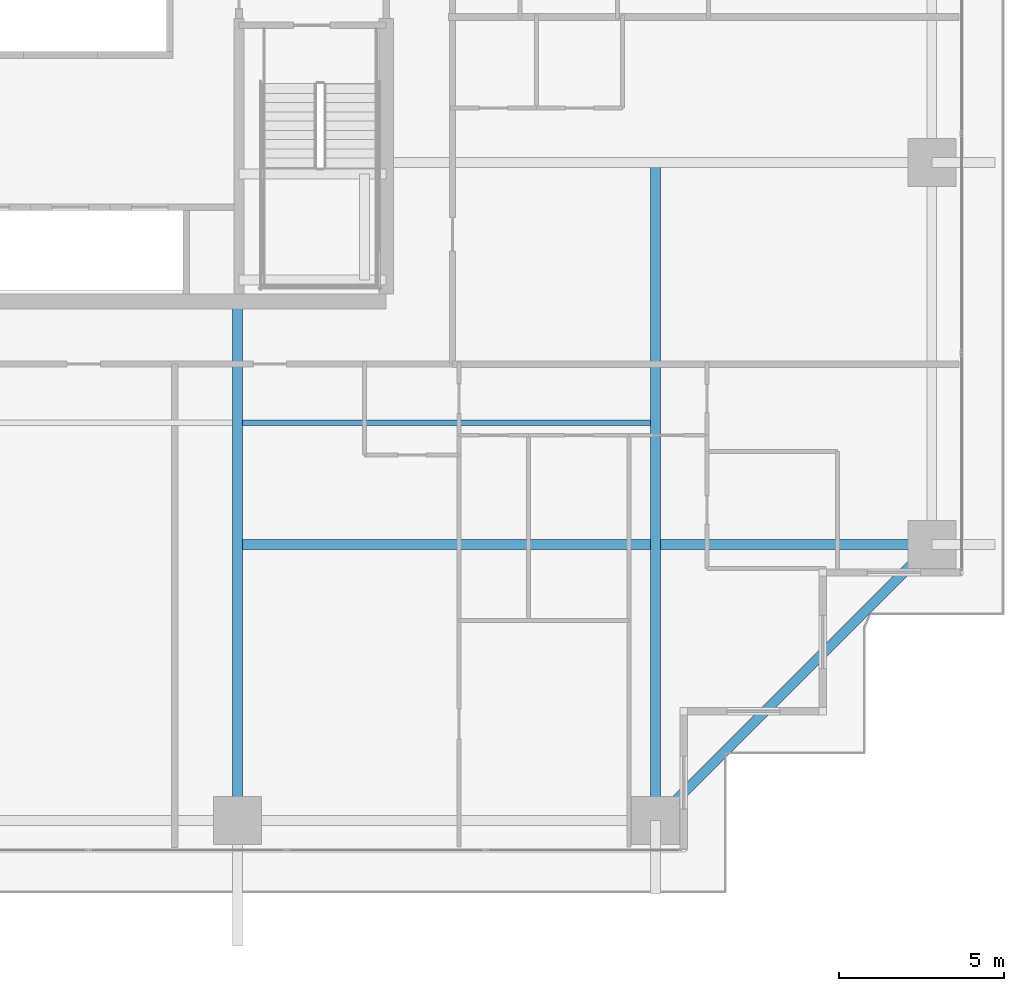
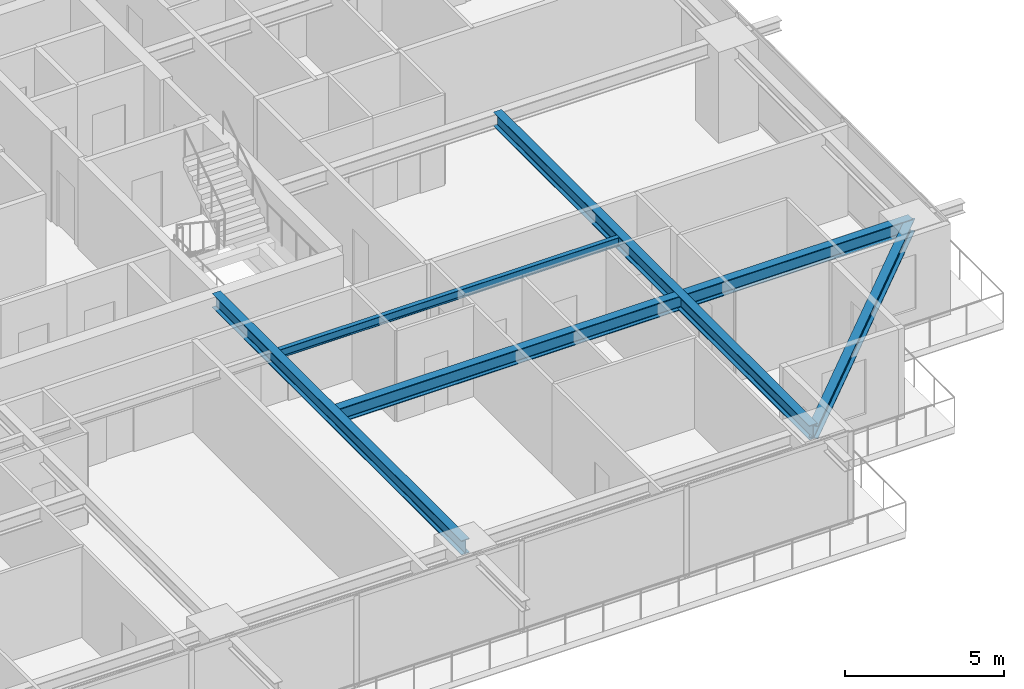
# One storey, part 11 of 34: 5 beams.
"""IFC4 building model written with IfcOpenShell, lengths in metres."""

from ifc_helpers import new_model, si_unit, direction, frame, origin, origin_2d, place, context, subcontext, project, spatial, i_section, extrude, source, transform, mapped, material, material_profile, profile_set, type_object, element, save


model = new_model("IFC4")

# Units and contexts
model_context = context("Model", 3, precision=1e-05, world=origin(), true_north=direction((0.0, 1.0)))
body_context = subcontext(model_context, "Body", "Model", "MODEL_VIEW")
ifc_project = project(units=[si_unit("LENGTHUNIT", "METRE"), si_unit("AREAUNIT", "SQUARE_METRE"), si_unit("VOLUMEUNIT", "CUBIC_METRE"), si_unit("PLANEANGLEUNIT", "RADIAN"), si_unit("MASSUNIT", "GRAM", prefix="KILO")], contexts=[model_context])

# Site, building, storey
site_placement = place(None, origin())
site = spatial("IfcSite", under=ifc_project, at=site_placement, CompositionType="ELEMENT")
building_placement = place(site_placement, origin())
building = spatial("IfcBuilding", under=site, at=building_placement, Name="Serunith Strait Residences", CompositionType="ELEMENT")
storey_placement = place(building_placement, frame((0.0, 0.0, 101.699951171875)))
storey = spatial("IfcBuildingStorey", under=building, at=storey_placement, Name="L25", CompositionType="ELEMENT", Elevation=101.699951171875)

# Beams
ifc_material = material(Name="Steel S355J2", Category="steel")
ifc_material_profile_1 = material_profile(ifc_material, i_section(OverallWidth=0.300048828125, OverallDepth=0.550048828125, WebThickness=0.014892578125, FlangeThickness=0.029052734375, FilletRadius=0.027099609375, at=origin_2d()), Name="HEB 550")
ifc_profile_set_1 = profile_set([ifc_material_profile_1], Name="Steel S355J2")
beam_type_1 = type_object("IfcBeamType", Name="BM-HEB550", PredefinedType="BEAM", material=ifc_profile_set_1)
shared_shape_1 = source(origin(), body_context, "Body", "SweptSolid", [
    extrude(i_section(OverallWidth=0.300048828125, OverallDepth=0.550048828125, WebThickness=0.014892578125, FlangeThickness=0.029052734375, FilletRadius=0.027099609375, at=origin_2d()), origin(), (0.0, 0.0, 1.0), 15.699951171875),
])
beam_1_placement = place(storey_placement, frame((36.89990234375, 16.800048828125, 3.212158203125), z_axis=(0.0, -1.0, 0.0), x_axis=(1.0, 0.0, 0.0)))
element("IfcBeam", 1, at=beam_1_placement, inside=storey, type_object=beam_type_1, Name="L25 Primary Floor Girder TC-S3", PredefinedType="BEAM", context=body_context, shape_type="MappedRepresentation", body=[
    mapped(shared_shape_1, transform((0.0, 0.0, 0.0), scale=1.0)),
])
shared_shape_2 = source(origin(), body_context, "Body", "SweptSolid", [
    extrude(i_section(OverallWidth=0.300048828125, OverallDepth=0.550048828125, WebThickness=0.014892578125, FlangeThickness=0.029052734375, FilletRadius=0.027099609375, at=origin_2d()), origin(), (0.0, 0.0, 1.0), 19.89990234375),
])
beam_2_placement = place(storey_placement, frame((49.550048828125, 21.0, 3.212158203125), z_axis=(0.0, -1.0, 0.0), x_axis=(1.0, 0.0, 0.0)))
element("IfcBeam", 2, at=beam_2_placement, inside=storey, type_object=beam_type_1, Name="L25 Orthogonal Corner Girder TC-S4", PredefinedType="BEAM", context=body_context, shape_type="MappedRepresentation", body=[
    mapped(shared_shape_2, transform((0.0, 0.0, 0.0), scale=1.0)),
])
shared_shape_3 = source(origin(), body_context, "Body", "SweptSolid", [
    extrude(i_section(OverallWidth=0.300048828125, OverallDepth=0.550048828125, WebThickness=0.014892578125, FlangeThickness=0.029052734375, FilletRadius=0.027099609375, at=origin_2d()), origin(), (0.0, 0.0, 1.0), 21.0),
])
beam_3_placement = place(storey_placement, frame((36.89990234375, 9.449951171875, 3.212158203125), z_axis=(1.0, 0.0, 0.0), x_axis=(0.0, 1.0, 0.0)))
element("IfcBeam", 3, at=beam_3_placement, inside=storey, type_object=beam_type_1, Name="L25 Orthogonal Corner Girder TC-E1", PredefinedType="BEAM", context=body_context, shape_type="MappedRepresentation", body=[
    mapped(shared_shape_3, transform((0.0, 0.0, 0.0), scale=1.0)),
])
ifc_material_profile_2 = material_profile(ifc_material, i_section(OverallWidth=0.300048828125, OverallDepth=0.5, WebThickness=0.014404296875, FlangeThickness=0.028076171875, FilletRadius=0.027099609375, at=origin_2d()), Name="HEB 500")
ifc_profile_set_2 = profile_set([ifc_material_profile_2], Name="Steel S355J2")
beam_type_2 = type_object("IfcBeamType", Name="BM-HEB500", PredefinedType="BEAM", material=ifc_profile_set_2)
shared_shape_4 = source(origin(), body_context, "Body", "SweptSolid", [
    extrude(i_section(OverallWidth=0.300048828125, OverallDepth=0.5, WebThickness=0.014404296875, FlangeThickness=0.028076171875, FilletRadius=0.027099609375, at=origin_2d()), origin(), (0.0, 0.0, 1.0), 11.80859375),
])
beam_4_placement = place(storey_placement, frame((49.550048828125, 1.10009765625, 3.20703125), z_axis=(0.707106781187, 0.707106781187, 0.0), x_axis=(-0.707106781187, 0.707106781187, 0.0)))
element("IfcBeam", 4, at=beam_4_placement, inside=storey, type_object=beam_type_2, Name="L25 Perimeter Ring Beam 04", PredefinedType="BEAM", context=body_context, shape_type="MappedRepresentation", body=[
    mapped(shared_shape_4, transform((0.0, 0.0, 0.0), scale=1.0)),
])
ifc_material_profile_3 = material_profile(ifc_material, i_section(OverallWidth=0.159912109375, OverallDepth=0.330078125, WebThickness=0.007568359375, FlangeThickness=0.011474609375, FilletRadius=0.01806640625, at=origin_2d()), Name="IPE 330")
ifc_profile_set_3 = profile_set([ifc_material_profile_3], Name="Steel S355J2")
beam_type_3 = type_object("IfcBeamType", Name="BM-IPE330", PredefinedType="JOIST", material=ifc_profile_set_3)
shared_shape_5 = source(origin(), body_context, "Body", "SweptSolid", [
    extrude(i_section(OverallWidth=0.159912109375, OverallDepth=0.330078125, WebThickness=0.007568359375, FlangeThickness=0.011474609375, FilletRadius=0.01806640625, at=origin_2d()), origin(), (0.0, 0.0, 1.0), 12.349853515625),
])
beam_5_placement = place(storey_placement, frame((37.050048828125, 13.125, 3.322021484375), z_axis=(1.0, 0.0, 0.0), x_axis=(0.0, 1.0, 0.0)))
element("IfcBeam", 5, at=beam_5_placement, inside=storey, type_object=beam_type_3, Name="L25 Composite Floor Joist 03", PredefinedType="JOIST", context=body_context, shape_type="MappedRepresentation", body=[
    mapped(shared_shape_5, transform((0.0, 0.0, 0.0), scale=1.0)),
])

save(model, "model.ifc")
